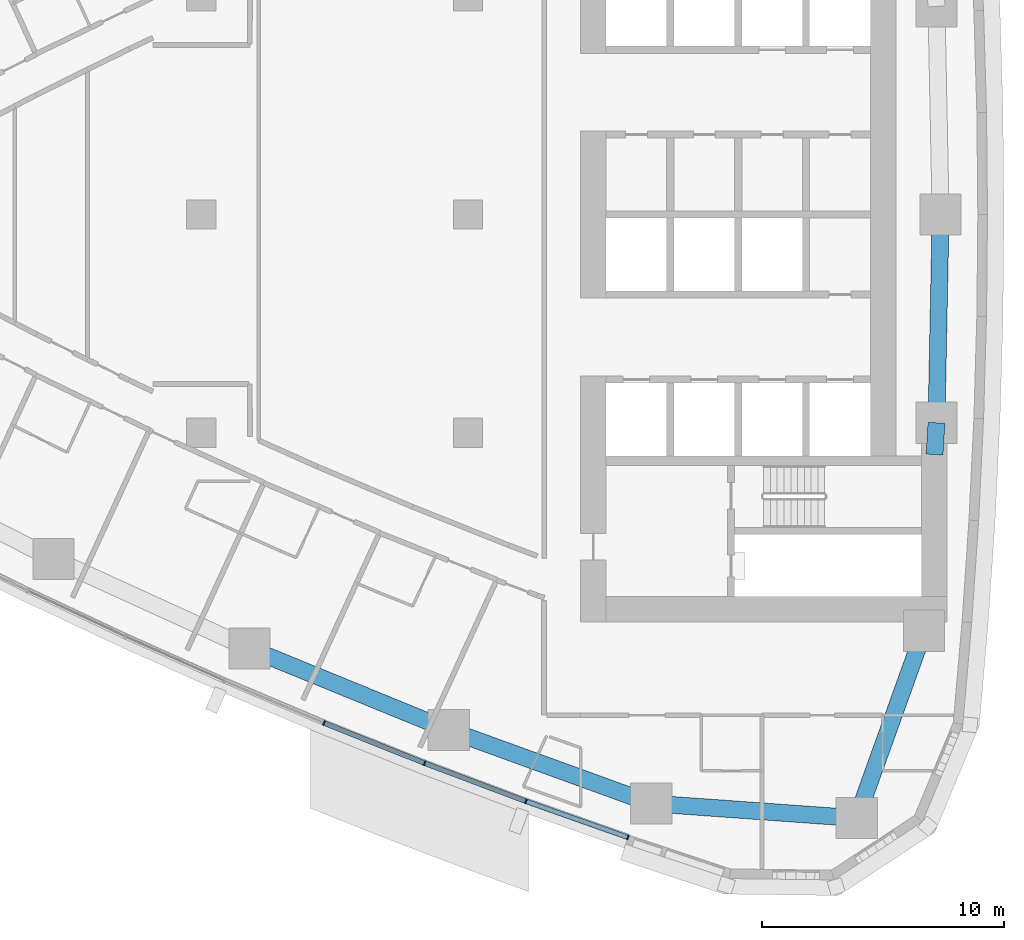
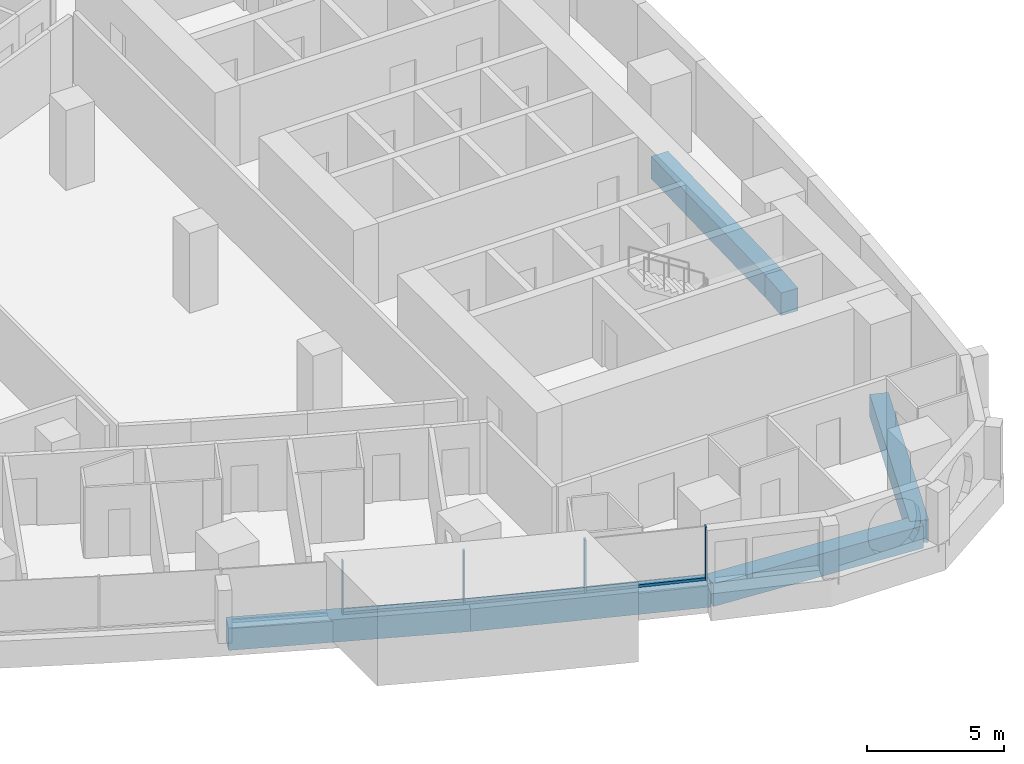
# One storey, part 4 of 17: 7 members, 6 beams, 2 elements without a shape of their own.
"""IFC4 building model written with IfcOpenShell, lengths in metres."""

import ifcopenshell
import ifcopenshell.guid

model = None  # the IFC model being written
_history = None  # IfcOwnerHistory: only IFC2X3 demands one
_inside = {}  # id of a spatial element -> (the spatial element, [elements in it])
_under = {}  # id of a project, library or spatial element -> (it, [spatial elements below it])
_declared = {}  # id of a project -> (the project, [libraries it declares])
_typed = {}  # id of a type object -> (the type object, [elements of that type])
_made_of = {}  # id of a material, layer set ... -> (it, [elements and type objects made of it])


def new_model(schema):
    """Start an empty IFC model of exactly this schema.

    Asked for "IFC4X3", IfcOpenShell would pick the latest addendum, in which some entities
    have other attributes; the version numbers below select the first issue.
    IFC2X3 requires an IfcOwnerHistory on every rooted entity: one is made here for all.
    """
    global model, _history
    if schema == "IFC4X3":
        model = ifcopenshell.file(schema_version=(4, 3, 0, 0))
    else:
        model = ifcopenshell.file(schema=schema)
    _inside.clear()
    _under.clear()
    _declared.clear()
    _typed.clear()
    _made_of.clear()
    _history = None
    if model.schema == "IFC2X3":
        org = make("IfcOrganization", Name="unknown")
        user = make(
            "IfcPersonAndOrganization",
            ThePerson=make("IfcPerson", FamilyName="unknown"),
            TheOrganization=org,
        )
        app = make(
            "IfcApplication",
            ApplicationDeveloper=org,
            Version="unknown",
            ApplicationFullName="unknown",
            ApplicationIdentifier="unknown",
        )
        _history = make(
            "IfcOwnerHistory",
            OwningUser=user,
            OwningApplication=app,
            ChangeAction="ADDED",
            CreationDate=0,
        )
    return model


def make(cls, **values):
    """One entity of the class cls with the attributes given. An attribute that is None is left unset."""
    return model.create_entity(
        cls, **{name: value for name, value in values.items() if value is not None}
    )


def rooted(cls, **values):
    """An entity with a GlobalId (a new one), such as an element, a storey or a relation."""
    return make(cls, GlobalId=ifcopenshell.guid.new(), OwnerHistory=_history, **values)


def si_unit(unit_type, name, prefix=None):
    """IfcSIUnit, for example si_unit("LENGTHUNIT", "METRE", prefix="MILLI")."""
    return make("IfcSIUnit", UnitType=unit_type, Prefix=prefix, Name=name)


def assignment(units):
    """IfcUnitAssignment: the units of a project."""
    return None if units is None else make("IfcUnitAssignment", Units=units)


def point(xyz):
    """IfcCartesianPoint."""
    return None if xyz is None else make("IfcCartesianPoint", Coordinates=xyz)


def direction(xyz):
    """IfcDirection."""
    return None if xyz is None else make("IfcDirection", DirectionRatios=xyz)


def frame(location, z_axis=None, x_axis=None):
    """IfcAxis2Placement3D, a coordinate frame: its origin and axes. An axis left out is left unset."""
    return make(
        "IfcAxis2Placement3D",
        Location=point(location),
        Axis=direction(z_axis),
        RefDirection=direction(x_axis),
    )


def frame_2d(location, x_axis=None):
    """IfcAxis2Placement2D, a coordinate frame in the plane: its origin and x axis."""
    return make(
        "IfcAxis2Placement2D", Location=point(location), RefDirection=direction(x_axis)
    )


def origin():
    """The frame at (0, 0, 0) with its axes left unset."""
    return frame((0.0, 0.0, 0.0))


def origin_2d():
    """The frame at (0, 0) in the plane with its x axis left unset."""
    return frame_2d((0.0, 0.0))


def place(relative_to, where):
    """IfcLocalPlacement: puts the frame where relative to a parent placement (None: the world)."""
    return make(
        "IfcLocalPlacement", PlacementRelTo=relative_to, RelativePlacement=where
    )


def context(
    kind, dimensions, precision=None, world=None, true_north=None, identifier=None
):
    """IfcGeometricRepresentationContext, for example the 3D "Model" context."""
    return make(
        "IfcGeometricRepresentationContext",
        ContextIdentifier=identifier,
        ContextType=kind,
        CoordinateSpaceDimension=dimensions,
        Precision=precision,
        WorldCoordinateSystem=world,
        TrueNorth=true_north,
    )


def subcontext(parent, identifier, kind, view, scale=None):
    """IfcGeometricRepresentationSubContext, for example "Body" below "Model"."""
    return make(
        "IfcGeometricRepresentationSubContext",
        ContextIdentifier=identifier,
        ContextType=kind,
        ParentContext=parent,
        TargetScale=scale,
        TargetView=view,
    )


def project(units=None, contexts=None):
    """IfcProject with its units and contexts."""
    return rooted(
        "IfcProject",
        Name="project",
        RepresentationContexts=contexts,
        UnitsInContext=assignment(units),
    )


def spatial(cls, under=None, at=None, **own):
    """A site, building, storey or space (cls), placed at a placement, below another one or the project."""
    s = rooted(cls, ObjectPlacement=at, **own)
    if under is not None:
        _under.setdefault(under.id(), (under, []))[1].append(s)
    return s


def profile(cls, at=None, kind="AREA", **sizes):
    """A parametric profile (cls). Its sizes go by their IFC names, for example OverallWidth=200.0."""
    return make(cls, ProfileType=kind, Position=at, **sizes)


def rectangle(**sizes):
    """IfcRectangleProfileDef."""
    return profile("IfcRectangleProfileDef", **sizes)


def extrude(swept, where, along, depth):
    """IfcExtrudedAreaSolid: the profile swept, set in the frame where, extruded along a direction by depth."""
    return make(
        "IfcExtrudedAreaSolid",
        SweptArea=swept,
        Position=where,
        ExtrudedDirection=direction(along),
        Depth=depth,
    )


def shape(context_of_items, identifier, shape_type, items):
    """IfcShapeRepresentation: the items that make up one representation, for example the "Body"."""
    return make(
        "IfcShapeRepresentation",
        ContextOfItems=context_of_items,
        RepresentationIdentifier=identifier,
        RepresentationType=shape_type,
        Items=items,
    )


def material(Name=None, Category=None):
    """IfcMaterial."""
    return make("IfcMaterial", Name=Name, Category=Category)


def layer(
    of_material, thickness, ventilated=None, Name=None, Category=None, Priority=None
):
    """IfcMaterialLayer: one layer of a wall or slab, of a material (None: an air gap)."""
    return make(
        "IfcMaterialLayer",
        Material=of_material,
        LayerThickness=thickness,
        IsVentilated=ventilated,
        Name=Name,
        Category=Category,
        Priority=Priority,
    )


def layer_set(layers, Name=None):
    """IfcMaterialLayerSet."""
    return make("IfcMaterialLayerSet", MaterialLayers=layers, LayerSetName=Name)


def material_profile(
    of_material, cross_section, Name=None, Category=None, Priority=None
):
    """IfcMaterialProfile: a cross section and its material."""
    return make(
        "IfcMaterialProfile",
        Name=Name,
        Material=of_material,
        Profile=cross_section,
        Priority=Priority,
        Category=Category,
    )


def profile_set(profiles, Name=None, composite=None):
    """IfcMaterialProfileSet."""
    return make(
        "IfcMaterialProfileSet",
        Name=Name,
        MaterialProfiles=profiles,
        CompositeProfile=composite,
    )


def made_of(thing, what):
    """Note that an element or type object is made of a material, layer set ...; save() writes the relation."""
    if what is not None:
        _made_of.setdefault(what.id(), (what, []))[1].append(thing)
    return thing


def type_object(cls, material=None, **own):
    """A type object (cls), such as IfcWallType, which elements share."""
    return made_of(rooted(cls, **own), material)


def element(
    cls,
    number,
    at=None,
    inside=None,
    cuts=None,
    type_object=None,
    material=None,
    context=None,
    identifier="Body",
    shape_type=None,
    held_by="IfcProductDefinitionShape",
    body=None,
    shapes=None,
    **own,
):
    """One element of the class cls, such as IfcWall. Its Tag is "e" and its number.

    at: its placement. inside: the storey or other place that contains it. cuts: it is an
    opening in that element (IfcRelVoidsElement). A single representation is given by context,
    identifier, shape_type and body (its items); several are given by shapes. held_by: the class
    of the entity that holds the representations. save() writes the other relations.
    """
    e = rooted(cls, Tag="e%d" % number, ObjectPlacement=at, **own)
    if body is not None:
        shapes = [shape(context, identifier, shape_type, body)]
    if shapes is not None:
        e.Representation = make(held_by, Representations=shapes)
    if inside is not None:
        _inside.setdefault(inside.id(), (inside, []))[1].append(e)
    if cuts is not None:
        rooted(
            "IfcRelVoidsElement", RelatingBuildingElement=cuts, RelatedOpeningElement=e
        )
    if type_object is not None:
        _typed.setdefault(type_object.id(), (type_object, []))[1].append(e)
    return made_of(e, material)


def aggregate(whole, parts):
    """IfcRelAggregates: a whole, such as a stair, and the parts it consists of."""
    return rooted("IfcRelAggregates", RelatingObject=whole, RelatedObjects=parts)


def save(model, path):
    """Write the relations noted so far, then the file.

    IfcRelAggregates (storeys below a building ...), IfcRelContainedInSpatialStructure (elements
    in a storey), IfcRelDefinesByType, IfcRelAssociatesMaterial and IfcRelDeclares: one each for
    every whole, place, type object, material and project.
    """
    for whole, parts in _under.values():
        aggregate(whole, parts)
    for where, things in _inside.values():
        rooted(
            "IfcRelContainedInSpatialStructure",
            RelatedElements=things,
            RelatingStructure=where,
        )
    for kind, things in _typed.values():
        rooted("IfcRelDefinesByType", RelatedObjects=things, RelatingType=kind)
    for what, things in _made_of.values():
        rooted("IfcRelAssociatesMaterial", RelatedObjects=things, RelatingMaterial=what)
    for by, libraries in _declared.values():
        rooted("IfcRelDeclares", RelatingContext=by, RelatedDefinitions=libraries)
    model.write(path)


model = new_model("IFC4")

# Units and contexts
model_context = context("Model", 3, precision=1e-05, world=origin(), true_north=direction((0.0, 1.0)))
body_context = subcontext(model_context, "Body", "Model", "MODEL_VIEW")
ifc_project = project(units=[si_unit("LENGTHUNIT", "METRE"), si_unit("AREAUNIT", "SQUARE_METRE"), si_unit("VOLUMEUNIT", "CUBIC_METRE"), si_unit("PLANEANGLEUNIT", "RADIAN"), si_unit("MASSUNIT", "GRAM", prefix="KILO")], contexts=[model_context])

# Site, building, storey
site_placement = place(None, origin())
site = spatial("IfcSite", under=ifc_project, at=site_placement, CompositionType="ELEMENT")
building_placement = place(site_placement, origin())
building = spatial("IfcBuilding", under=site, at=building_placement, Name="Ostrand Prow Hotel Tower", CompositionType="ELEMENT")
storey_placement = place(building_placement, frame((0.0, 0.0, 116.85009765625)))
storey = spatial("IfcBuildingStorey", under=building, at=storey_placement, Name="L28", CompositionType="ELEMENT", Elevation=116.85009765625)

# Beams
ifc_material_1 = material(Name="Concrete C80/95", Category="concrete")
ifc_material_profile_1 = material_profile(ifc_material_1, rectangle(XDim=0.699951171875, YDim=1.0, at=origin_2d()), Name="RC 700x1000")
ifc_profile_set_1 = profile_set([ifc_material_profile_1], Name="Concrete C80/95")
beam_type = type_object("IfcBeamType", Name="Edge beam 700x1000 C80/95", PredefinedType="SPANDREL", material=ifc_profile_set_1)
beam_1_placement = place(storey_placement, frame((35.98828125, -17.901611328125, -0.800048828125), z_axis=(0.925612172894, -0.378473387955, 0.0), x_axis=(0.378473387955, 0.925612172894, 0.0)))
element("IfcBeam", 1, at=beam_1_placement, inside=storey, type_object=beam_type, Name="Edge beam S4-S5", PredefinedType="SPANDREL", context=body_context, shape_type="SweptSolid", body=[
    extrude(rectangle(XDim=0.699951171875, YDim=1.0, at=origin_2d()), origin(), (0.0, 0.0, 1.0), 8.88330078125),
])
beam_2_placement = place(storey_placement, frame((44.210693359375, -21.263671875, -0.800048828125), z_axis=(0.940062739321, -0.341001533927, 0.0), x_axis=(0.341001533927, 0.940062739321, 0.0)))
element("IfcBeam", 2, at=beam_2_placement, inside=storey, type_object=beam_type, Name="Edge beam S5-S6", PredefinedType="SPANDREL", context=body_context, shape_type="SweptSolid", body=[
    extrude(rectangle(XDim=0.699951171875, YDim=1.0, at=origin_2d()), origin(), (0.0, 0.0, 1.0), 8.883544921875),
])
beam_3_placement = place(storey_placement, frame((52.561767578125, -24.29296875, -0.800048828125), z_axis=(0.99747195063, -0.071061295414, 0.0), x_axis=(0.071061295414, 0.99747195063, 0.0)))
element("IfcBeam", 3, at=beam_3_placement, inside=storey, type_object=beam_type, Name="Edge beam S6-SE", PredefinedType="SPANDREL", context=body_context, shape_type="SweptSolid", body=[
    extrude(rectangle(XDim=0.699951171875, YDim=1.0, at=origin_2d()), origin(), (0.0, 0.0, 1.0), 8.499755859375),
])
beam_4_placement = place(storey_placement, frame((61.0400390625, -24.89697265625, -0.800048828125), z_axis=(0.337815484063, 0.941212355809, 0.0), x_axis=(-0.941212355809, 0.337815484063, 0.0)))
element("IfcBeam", 4, at=beam_4_placement, inside=storey, type_object=beam_type, Name="Edge beam SE-B1", PredefinedType="SPANDREL", context=body_context, shape_type="SweptSolid", body=[
    extrude(rectangle(XDim=0.699951171875, YDim=1.0, at=origin_2d()), origin(), (0.0, 0.0, 1.0), 8.21630859375),
])
beam_5_placement = place(storey_placement, frame((64.25048828125, -9.89990234375, -0.800048828125), z_axis=(0.059658953766, 0.998218818314, 0.0), x_axis=(-0.998218818314, 0.059658953766, 0.0)))
element("IfcBeam", 5, at=beam_5_placement, inside=storey, type_object=beam_type, Name="Edge beam B1-B2", PredefinedType="SPANDREL", context=body_context, shape_type="SweptSolid", body=[
    extrude(rectangle(XDim=0.699951171875, YDim=1.0, at=origin_2d()), origin(), (0.0, 0.0, 1.0), 1.313720703125),
])
beam_6_placement = place(storey_placement, frame((64.328857421875, -8.588623046875, -0.800048828125), z_axis=(0.019922705812, 0.9998015232, 0.0), x_axis=(-0.9998015232, 0.019922705812, 0.0)))
element("IfcBeam", 6, at=beam_6_placement, inside=storey, type_object=beam_type, Name="Edge beam B2-B3", PredefinedType="SPANDREL", context=body_context, shape_type="SweptSolid", body=[
    extrude(rectangle(XDim=0.699951171875, YDim=1.0, at=origin_2d()), origin(), (0.0, 0.0, 1.0), 8.59033203125),
])

# Curtain wall, members
ifc_material_2 = material(Name="Insulated glass in bronze anodised frame", Category="glass")
ifc_layer = layer(ifc_material_2, 0.199951171875)
ifc_layer_set = layer_set([ifc_layer], Name="Insulated glass in bronze anodised frame")
curtain_wall_type = type_object("IfcCurtainWallType", Name="Strip curtain wall, fritted glass over bronze spandrel", PredefinedType="NOTDEFINED", material=ifc_layer_set)
curtain_wall_1_placement = place(storey_placement, origin())
curtain_wall_1 = element("IfcCurtainWall", 7, at=curtain_wall_1_placement, inside=storey, type_object=curtain_wall_type, Name="CW1 run CWS4", PredefinedType="NOTDEFINED")
ifc_material_3 = material(Name="Bronze anodised aluminium", Category="aluminium")
ifc_material_profile_2 = material_profile(ifc_material_3, rectangle(XDim=0.199951171875, YDim=0.06005859375, at=origin_2d()), Name="Mullion 60x200 bronze anodised aluminium")
ifc_profile_set_2 = profile_set([ifc_material_profile_2], Name="Bronze anodised aluminium")
member_type_1 = type_object("IfcMemberType", Name="Mullion 60x200 bronze anodised aluminium", PredefinedType="MULLION", material=ifc_profile_set_2)
member_1_placement = place(storey_placement, frame((39.06396484375, -20.97265625, 0.89990234375), z_axis=(0.0, 0.0, 1.0), x_axis=(0.370982121315, 0.928640008649, 0.0)))
member_1 = element("IfcMember", 8, at=member_1_placement, type_object=member_type_1, Name="CW1 mullion 2", PredefinedType="MULLION", context=body_context, shape_type="SweptSolid", body=[
    extrude(rectangle(XDim=0.199951171875, YDim=0.06005859375, at=origin_2d()), origin(), (0.0, 0.0, 1.0), 2.35009765625),
])
member_2_placement = place(storey_placement, frame((43.211181640625, -22.62939453125, 0.89990234375), z_axis=(0.0, 0.0, 1.0), x_axis=(0.370982121315, 0.928640008649, 0.0)))
member_2 = element("IfcMember", 9, at=member_2_placement, type_object=member_type_1, Name="CW1 mullion 3", PredefinedType="MULLION", context=body_context, shape_type="SweptSolid", body=[
    extrude(rectangle(XDim=0.199951171875, YDim=0.06005859375, at=origin_2d()), origin(), (0.0, 0.0, 1.0), 2.35009765625),
])

curtain_wall_2_placement = place(storey_placement, origin())
curtain_wall_2 = element("IfcCurtainWall", 10, at=curtain_wall_2_placement, inside=storey, type_object=curtain_wall_type, Name="CW1 run CWS5", PredefinedType="NOTDEFINED")
member_3_placement = place(storey_placement, frame((47.390869140625, -24.202880859375, 0.89990234375), z_axis=(0.0, 0.0, 1.0), x_axis=(0.333495894542, 0.942751551748, 0.0)))
member_3 = element("IfcMember", 11, at=member_3_placement, type_object=member_type_1, Name="CW1 mullion 2", PredefinedType="MULLION", context=body_context, shape_type="SweptSolid", body=[
    extrude(rectangle(XDim=0.199951171875, YDim=0.06005859375, at=origin_2d()), origin(), (0.0, 0.0, 1.0), 2.35009765625),
])
member_4_placement = place(storey_placement, frame((51.601318359375, -25.692138671875, 0.89990234375), z_axis=(0.0, 0.0, 1.0), x_axis=(0.333495894542, 0.942751551748, 0.0)))
member_4 = element("IfcMember", 12, at=member_4_placement, type_object=member_type_1, Name="CW1 mullion 3", PredefinedType="MULLION", context=body_context, shape_type="SweptSolid", body=[
    extrude(rectangle(XDim=0.199951171875, YDim=0.06005859375, at=origin_2d()), origin(), (0.0, 0.0, 1.0), 2.35009765625),
])

# Member
ifc_material_4 = material(Name="Bronze anodised aluminium", Category="aluminium")
ifc_material_profile_3 = material_profile(ifc_material_4, rectangle(XDim=0.199951171875, YDim=0.1201171875, at=origin_2d()), Name="Transom 120x200 bronze anodised aluminium")
ifc_profile_set_3 = profile_set([ifc_material_profile_3], Name="Bronze anodised aluminium")
member_type_2 = type_object("IfcMemberType", Name="Transom 120x200 bronze anodised aluminium", PredefinedType="USERDEFINED", material=ifc_profile_set_3)
member_5_placement = place(storey_placement, frame((39.091796875, -20.983642578125, 0.9599609375), z_axis=(0.928621833209, -0.371027614724, 0.0), x_axis=(0.371027614724, 0.928621833209, 0.0)))
member_5 = element("IfcMember", 13, at=member_5_placement, type_object=member_type_2, Name="CW1 transom 2.1", ObjectType="TRANSOM", PredefinedType="USERDEFINED", context=body_context, shape_type="SweptSolid", body=[
    extrude(rectangle(XDim=0.199951171875, YDim=0.1201171875, at=origin_2d()), origin(), (0.0, 0.0, 1.0), 4.406005859375),
])

aggregate(curtain_wall_1, [member_1, member_2, member_5])

member_6_placement = place(storey_placement, frame((43.2392578125, -22.639892578125, 0.9599609375), z_axis=(0.935868398429, -0.352349742191, 0.0), x_axis=(0.352349742191, 0.935868398429, 0.0)))
member_6 = element("IfcMember", 14, at=member_6_placement, type_object=member_type_2, Name="CW1 transom 1.1", ObjectType="TRANSOM", PredefinedType="USERDEFINED", context=body_context, shape_type="SweptSolid", body=[
    extrude(rectangle(XDim=0.199951171875, YDim=0.1201171875, at=origin_2d()), origin(), (0.0, 0.0, 1.0), 4.406005859375),
])

member_7_placement = place(storey_placement, frame((47.419189453125, -24.212890625, 0.9599609375), z_axis=(0.942763014139, -0.333463490013, 0.0), x_axis=(0.333463490013, 0.942763014139, 0.0)))
member_7 = element("IfcMember", 15, at=member_7_placement, type_object=member_type_2, Name="CW1 transom 2.1", ObjectType="TRANSOM", PredefinedType="USERDEFINED", context=body_context, shape_type="SweptSolid", body=[
    extrude(rectangle(XDim=0.199951171875, YDim=0.1201171875, at=origin_2d()), origin(), (0.0, 0.0, 1.0), 4.406005859375),
])

aggregate(curtain_wall_2, [member_3, member_4, member_6, member_7])

save(model, "model.ifc")
